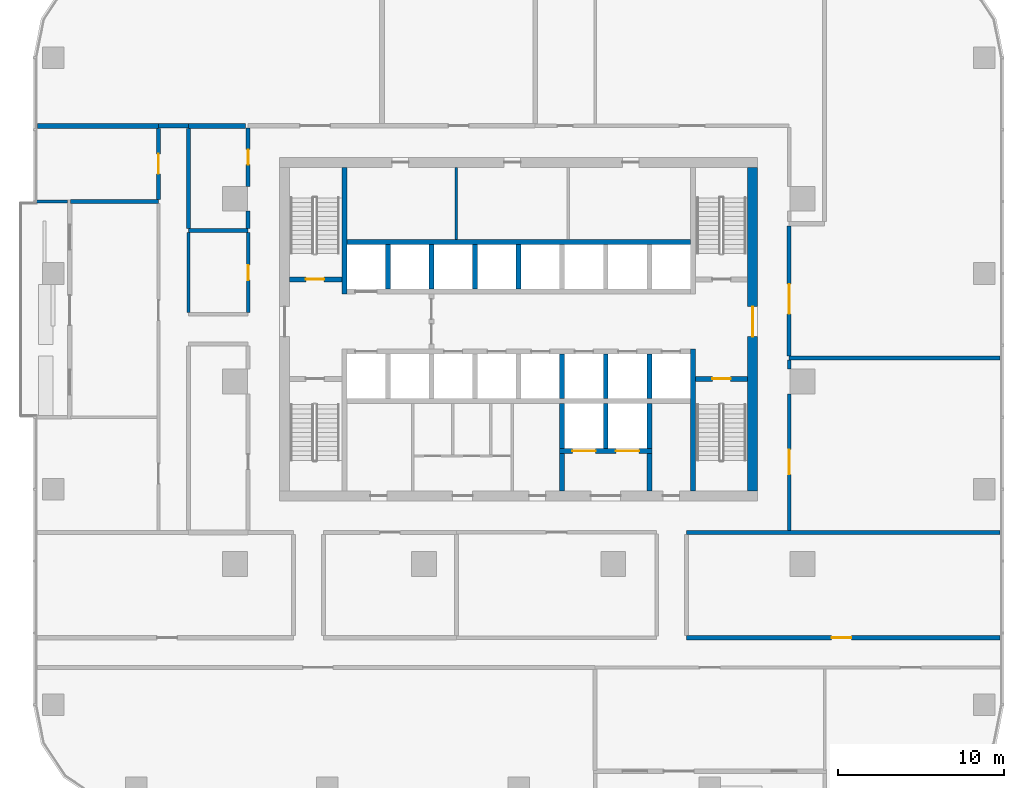
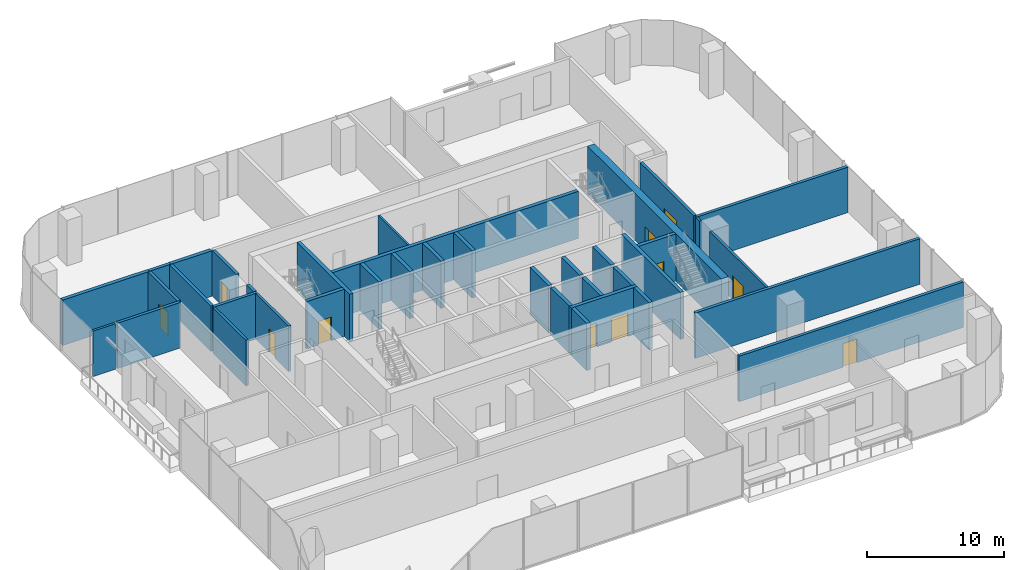
# One storey, part 9 of 15: 38 walls, 11 doors, 11 openings.
"""IFC4 building model written with IfcOpenShell, lengths in metres."""

from ifc_helpers import new_model, si_unit, direction, frame, frame_2d, origin, place, context, subcontext, project, spatial, rectangle, extrude, material, layer, layer_set, type_object, element, fill, save


model = new_model("IFC4")

# Units and contexts
model_context = context("Model", 3, precision=1e-05, world=origin(), true_north=direction((0.0, 1.0)))
body_context = subcontext(model_context, "Body", "Model", "MODEL_VIEW")
ifc_project = project(units=[si_unit("LENGTHUNIT", "METRE"), si_unit("AREAUNIT", "SQUARE_METRE"), si_unit("VOLUMEUNIT", "CUBIC_METRE"), si_unit("PLANEANGLEUNIT", "RADIAN"), si_unit("MASSUNIT", "GRAM", prefix="KILO")], contexts=[model_context])

# Site, building, storey
site_placement = place(None, origin())
site = spatial("IfcSite", under=ifc_project, at=site_placement, CompositionType="ELEMENT")
building_placement = place(site_placement, origin())
building = spatial("IfcBuilding", under=site, at=building_placement, Name="Mopane Tessera Tower", CompositionType="ELEMENT")
storey_placement = place(building_placement, frame((0.0, 0.0, 99.10009765625)))
storey = spatial("IfcBuildingStorey", under=building, at=storey_placement, Name="L19", CompositionType="ELEMENT", Elevation=99.10009765625)

# Wall
ifc_material_1 = material(Name="Fire-rated gypsum board partition")
ifc_layer_1 = layer(ifc_material_1, 0.14990234375)
ifc_layer_set_1 = layer_set([ifc_layer_1], Name="Fire-rated gypsum board partition")
wall_type_1 = type_object("IfcWallType", Name="Core room partition 150 mm", PredefinedType="PARTITIONING", material=ifc_layer_set_1)
wall_1_placement = place(storey_placement, frame((-3.75, 8.550048828125, 0.0), z_axis=(0.0, 0.0, 1.0), x_axis=(0.0, 1.0, 0.0)))
element("IfcWall", 1, at=wall_1_placement, inside=storey, type_object=wall_type_1, Name="L19 Room partition", PredefinedType="PARTITIONING", context=body_context, shape_type="SweptSolid", body=[
    extrude(rectangle(XDim=4.349853515625, YDim=0.14990234375, at=frame_2d((2.1748046875, 0.0))), origin(), (0.0, 0.0, 1.0), 4.199951171875),
])

# Wall, opening, door
ifc_material_2 = material(Name="Concrete C70/85", Category="concrete")
ifc_layer_2 = layer(ifc_material_2, 0.60009765625)
ifc_layer_set_2 = layer_set([ifc_layer_2], Name="Concrete C70/85")
wall_type_2 = type_object("IfcWallType", Name="Core shear wall 600 mm", PredefinedType="SHEAR", material=ifc_layer_set_2)
wall_2_placement = place(storey_placement, frame((14.10009765625, -6.60009765625, 0.0), z_axis=(0.0, 0.0, 1.0), x_axis=(0.0, 1.0, 0.0)))
wall_2 = element("IfcWall", 2, at=wall_2_placement, inside=storey, type_object=wall_type_2, Name="L19 Core wall east", PredefinedType="SHEAR", context=body_context, shape_type="SweptSolid", body=[
    extrude(rectangle(XDim=19.5, YDim=0.60009765625, at=frame_2d((9.75, 0.0))), origin(), (0.0, 0.0, 1.0), 4.199951171875),
])
opening_1_placement = place(wall_2_placement, frame((9.300048828125, 0.0, 0.0)))
opening_1 = element("IfcOpeningElement", 3, at=opening_1_placement, cuts=wall_2, Name="Opening SD2", PredefinedType="OPENING", context=body_context, shape_type="SweptSolid", body=[
    extrude(rectangle(XDim=1.800048828125, YDim=2.10009765625, at=frame_2d((0.89990234375, 1.050048828125))), frame((0.0, 0.31201171875, 0.0), z_axis=(0.0, -1.0, 0.0), x_axis=(1.0, 0.0, 0.0)), (0.0, 0.0, 1.0), 0.6240234375),
])
ifc_material_3 = material(Name="Steel fire door", Category="steel")
door_type_1 = type_object("IfcDoorType", Name="Core entrance double door 1800 x 2100", OperationType="DOUBLE_DOOR_SINGLE_SWING", PredefinedType="DOOR", material=ifc_material_3)
door_1_placement = place(opening_1_placement, origin())
door_1 = element("IfcDoor", 4, at=door_1_placement, inside=storey, type_object=door_type_1, Name="L19 Core entrance door east", OperationType="DOUBLE_DOOR_SINGLE_SWING", OverallHeight=2.10009765625, OverallWidth=1.800048828125, PredefinedType="DOOR", context=body_context, shape_type="SweptSolid", body=[
    extrude(rectangle(XDim=1.800048828125, YDim=2.10009765625, at=frame_2d((0.89990234375, 1.050048828125))), frame((0.0, 0.02490234375, 0.0), z_axis=(0.0, -1.0, 0.0), x_axis=(1.0, 0.0, 0.0)), (0.0, 0.0, 1.0), 0.050048828125),
])
fill(opening_1, door_1)

# Walls
ifc_material_4 = material(Name="Concrete C60/75", Category="concrete")
ifc_layer_3 = layer(ifc_material_4, 0.300048828125)
ifc_layer_set_3 = layer_set([ifc_layer_3], Name="Concrete C60/75")
wall_type_3 = type_object("IfcWallType", Name="Core spine wall 300 mm", PredefinedType="SHEAR", material=ifc_layer_set_3)
wall_3_placement = place(storey_placement, frame((-10.5, 5.25, 0.0), z_axis=(0.0, 0.0, 1.0), x_axis=(0.0, 1.0, 0.0)))
element("IfcWall", 5, at=wall_3_placement, inside=storey, type_object=wall_type_3, Name="L19 Core spine wall", PredefinedType="SHEAR", context=body_context, shape_type="SweptSolid", body=[
    extrude(rectangle(XDim=7.64990234375, YDim=0.300048828125, at=frame_2d((3.824951171875, 0.0))), origin(), (0.0, 0.0, 1.0), 4.199951171875),
])
wall_4_placement = place(storey_placement, frame((10.5, -6.60009765625, 0.0), z_axis=(0.0, 0.0, 1.0), x_axis=(0.0, 1.0, 0.0)))
element("IfcWall", 6, at=wall_4_placement, inside=storey, type_object=wall_type_3, Name="L19 Core spine wall", PredefinedType="SHEAR", context=body_context, shape_type="SweptSolid", body=[
    extrude(rectangle(XDim=8.550048828125, YDim=0.300048828125, at=frame_2d((4.27490234375, 0.0))), origin(), (0.0, 0.0, 1.0), 4.199951171875),
])
ifc_material_5 = material(Name="Gypsum board on steel studs, two layers each face, mineral wool infill", Category="steel")
ifc_layer_4 = layer(ifc_material_5, 0.199951171875)
ifc_layer_set_4 = layer_set([ifc_layer_4], Name="Gypsum board on steel studs, two layers each face, mineral wool infill")
wall_type_4 = type_object("IfcWallType", Name="Gypsum board corridor wall 200, rated EI 60", PredefinedType="PARTITIONING", material=ifc_layer_set_4)
wall_5_placement = place(storey_placement, frame((-19.89990234375, 4.14990234375, 0.0), z_axis=(0.0, 0.0, 1.0), x_axis=(0.0, 1.0, 0.0)))
element("IfcWall", 7, at=wall_5_placement, inside=storey, type_object=wall_type_4, Name="Partition L19:026", PredefinedType="PARTITIONING", context=body_context, shape_type="SweptSolid", body=[
    extrude(rectangle(XDim=4.81005859375, YDim=0.199951171875, at=frame_2d((2.405029296875, 0.0))), origin(), (0.0, 0.0, 1.0), 4.0498046875),
])

# Wall, opening, door
wall_6_placement = place(storey_placement, frame((-16.300048828125, 4.14990234375, 0.0), z_axis=(0.0, 0.0, 1.0), x_axis=(0.0, 1.0, 0.0)))
wall_6 = element("IfcWall", 8, at=wall_6_placement, inside=storey, type_object=wall_type_4, Name="Partition L19:029", PredefinedType="PARTITIONING", context=body_context, shape_type="SweptSolid", body=[
    extrude(rectangle(XDim=4.81005859375, YDim=0.199951171875, at=frame_2d((2.405029296875, 0.0))), origin(), (0.0, 0.0, 1.0), 4.0498046875),
])
opening_2_placement = place(wall_6_placement, frame((1.955078125, 0.0, 0.0)))
opening_2 = element("IfcOpeningElement", 9, at=opening_2_placement, cuts=wall_6, Name="Opening L19-08", PredefinedType="OPENING", context=body_context, shape_type="SweptSolid", body=[
    extrude(rectangle(XDim=0.89990234375, YDim=2.10009765625, at=frame_2d((0.449951171875, 1.050048828125))), frame((0.0, 0.112060546875, 0.0), z_axis=(0.0, -1.0, 0.0), x_axis=(1.0, 0.0, 0.0)), (0.0, 0.0, 1.0), 0.223876953125),
])
ifc_material_6 = material(Name="Timber veneered steel-framed fire door", Category="steel")
door_type_2 = type_object("IfcDoorType", Name="Fire door FD60 900 x 2100", OperationType="SINGLE_SWING_LEFT", PredefinedType="DOOR", material=ifc_material_6)
door_2_placement = place(opening_2_placement, origin())
door_2 = element("IfcDoor", 10, at=door_2_placement, inside=storey, type_object=door_type_2, Name="Door L19-08", ObjectType="D10A", OperationType="SINGLE_SWING_LEFT", OverallHeight=2.10009765625, OverallWidth=0.89990234375, PredefinedType="DOOR", context=body_context, shape_type="SweptSolid", body=[
    extrude(rectangle(XDim=0.89990234375, YDim=2.10009765625, at=frame_2d((0.449951171875, 1.050048828125))), frame((0.0, 0.02490234375, 0.0), z_axis=(0.0, -1.0, 0.0), x_axis=(1.0, 0.0, 0.0)), (0.0, 0.0, 1.0), 0.050048828125),
])
fill(opening_2, door_2)

wall_7_placement = place(storey_placement, frame((16.300048828125, -8.97509765625, 0.0), z_axis=(0.0, 0.0, 1.0), x_axis=(0.0, 1.0, 0.0)))
wall_7 = element("IfcWall", 11, at=wall_7_placement, inside=storey, type_object=wall_type_4, Name="Partition L19:043", PredefinedType="PARTITIONING", context=body_context, shape_type="SweptSolid", body=[
    extrude(rectangle(XDim=8.22509765625, YDim=0.199951171875, at=frame_2d((4.112548828125, 0.0))), origin(), (0.0, 0.0, 1.0), 4.0498046875),
])
opening_3_placement = place(wall_7_placement, frame((3.362548828125, 0.0, 0.0)))
opening_3 = element("IfcOpeningElement", 12, at=opening_3_placement, cuts=wall_7, Name="Opening L19-18", PredefinedType="OPENING", context=body_context, shape_type="SweptSolid", body=[
    extrude(rectangle(XDim=1.5, YDim=2.10009765625, at=frame_2d((0.75, 1.050048828125))), frame((0.0, 0.112060546875, 0.0), z_axis=(0.0, -1.0, 0.0), x_axis=(1.0, 0.0, 0.0)), (0.0, 0.0, 1.0), 0.223876953125),
])
ifc_material_7 = material(Name="Timber veneered steel-framed fire door", Category="steel")
door_type_3 = type_object("IfcDoorType", Name="Fire door pair FD60 1500 x 2100", OperationType="DOUBLE_DOOR_SINGLE_SWING", PredefinedType="DOOR", material=ifc_material_7)
door_3_placement = place(opening_3_placement, origin())
door_3 = element("IfcDoor", 13, at=door_3_placement, inside=storey, type_object=door_type_3, Name="Door L19-18", ObjectType="D17A", OperationType="DOUBLE_DOOR_SINGLE_SWING", OverallHeight=2.10009765625, OverallWidth=1.5, PredefinedType="DOOR", context=body_context, shape_type="SweptSolid", body=[
    extrude(rectangle(XDim=1.5, YDim=2.10009765625, at=frame_2d((0.75, 1.050048828125))), frame((0.0, 0.02490234375, 0.0), z_axis=(0.0, -1.0, 0.0), x_axis=(1.0, 0.0, 0.0)), (0.0, 0.0, 1.0), 0.050048828125),
])
fill(opening_3, door_3)

# Wall
wall_8_placement = place(storey_placement, frame((16.300048828125, 0.75, 0.0), z_axis=(0.0, 0.0, 1.0), x_axis=(0.0, 1.0, 0.0)))
element("IfcWall", 14, at=wall_8_placement, inside=storey, type_object=wall_type_4, Name="Partition L19:044", PredefinedType="PARTITIONING", context=body_context, shape_type="SweptSolid", body=[
    extrude(rectangle(XDim=0.52490234375, YDim=0.199951171875, at=frame_2d((0.262451171875, 0.0))), origin(), (0.0, 0.0, 1.0), 4.0498046875),
])

# Wall, opening, door
ifc_material_8 = material(Name="Concrete C50/60", Category="concrete")
ifc_layer_5 = layer(ifc_material_8, 0.300048828125)
ifc_layer_set_5 = layer_set([ifc_layer_5], Name="Concrete C50/60")
wall_type_5 = type_object("IfcWallType", Name="Lift and stair shaft wall 300 mm", PredefinedType="SOLIDWALL", material=ifc_layer_set_5)
wall_9_placement = place(storey_placement, frame((-13.800048828125, 6.14990234375, 0.0), z_axis=(0.0, 0.0, 1.0), x_axis=(1.0, 0.0, 0.0)))
wall_9 = element("IfcWall", 15, at=wall_9_placement, inside=storey, type_object=wall_type_5, Name="L19 Stair enclosure wall", PredefinedType="SOLIDWALL", context=body_context, shape_type="SweptSolid", body=[
    extrude(rectangle(XDim=3.150146484375, YDim=0.300048828125, at=frame_2d((1.5751953125, 0.0))), origin(), (0.0, 0.0, 1.0), 4.199951171875),
])
opening_4_placement = place(wall_9_placement, frame((0.97509765625, 0.0, 0.0)))
opening_4 = element("IfcOpeningElement", 16, at=opening_4_placement, cuts=wall_9, Name="Opening SD1", PredefinedType="OPENING", context=body_context, shape_type="SweptSolid", body=[
    extrude(rectangle(XDim=1.10009765625, YDim=2.10009765625, at=frame_2d((0.550048828125, 1.050048828125))), frame((0.0, 0.162109375, 0.0), z_axis=(0.0, -1.0, 0.0), x_axis=(1.0, 0.0, 0.0)), (0.0, 0.0, 1.0), 0.323974609375),
])
ifc_material_9 = material(Name="Steel fire door", Category="steel")
door_type_4 = type_object("IfcDoorType", Name="Stair fire door 1100 x 2100", OperationType="SINGLE_SWING_LEFT", PredefinedType="DOOR", material=ifc_material_9)
door_4_placement = place(opening_4_placement, origin())
door_4 = element("IfcDoor", 17, at=door_4_placement, inside=storey, type_object=door_type_4, Name="L19 Stair door ST2", OperationType="SINGLE_SWING_LEFT", OverallHeight=2.10009765625, OverallWidth=1.10009765625, PredefinedType="DOOR", context=body_context, shape_type="SweptSolid", body=[
    extrude(rectangle(XDim=1.10009765625, YDim=2.10009765625, at=frame_2d((0.550048828125, 1.050048828125))), frame((0.0, 0.02490234375, 0.0), z_axis=(0.0, -1.0, 0.0), x_axis=(1.0, 0.0, 0.0)), (0.0, 0.0, 1.0), 0.050048828125),
])
fill(opening_4, door_4)

wall_10_placement = place(storey_placement, frame((10.64990234375, 0.14990234375, 0.0), z_axis=(0.0, 0.0, 1.0), x_axis=(1.0, 0.0, 0.0)))
wall_10 = element("IfcWall", 18, at=wall_10_placement, inside=storey, type_object=wall_type_5, Name="L19 Stair enclosure wall", PredefinedType="SOLIDWALL", context=body_context, shape_type="SweptSolid", body=[
    extrude(rectangle(XDim=3.150146484375, YDim=0.300048828125, at=frame_2d((1.5751953125, 0.0))), origin(), (0.0, 0.0, 1.0), 4.199951171875),
])
opening_5_placement = place(wall_10_placement, frame((1.02490234375, 0.0, 0.0)))
opening_5 = element("IfcOpeningElement", 19, at=opening_5_placement, cuts=wall_10, Name="Opening SD1", PredefinedType="OPENING", context=body_context, shape_type="SweptSolid", body=[
    extrude(rectangle(XDim=1.10009765625, YDim=2.10009765625, at=frame_2d((0.550048828125, 1.050048828125))), frame((0.0, 0.162109375, 0.0), z_axis=(0.0, -1.0, 0.0), x_axis=(1.0, 0.0, 0.0)), (0.0, 0.0, 1.0), 0.323974609375),
])
door_5_placement = place(opening_5_placement, origin())
door_5 = element("IfcDoor", 20, at=door_5_placement, inside=storey, type_object=door_type_4, Name="L19 Stair door ST3", OperationType="SINGLE_SWING_RIGHT", OverallHeight=2.10009765625, OverallWidth=1.10009765625, PredefinedType="DOOR", context=body_context, shape_type="SweptSolid", body=[
    extrude(rectangle(XDim=1.10009765625, YDim=2.10009765625, at=frame_2d((0.550048828125, 1.050048828125))), frame((0.0, 0.02490234375, 0.0), z_axis=(0.0, -1.0, 0.0), x_axis=(1.0, 0.0, 0.0)), (0.0, 0.0, 1.0), 0.050048828125),
])
fill(opening_5, door_5)

# Walls
wall_11_placement = place(storey_placement, frame((-10.35009765625, 8.39990234375, 0.0), z_axis=(0.0, 0.0, 1.0), x_axis=(1.0, 0.0, 0.0)))
element("IfcWall", 21, at=wall_11_placement, inside=storey, type_object=wall_type_5, Name="L19 Lift shaft rear wall", PredefinedType="SOLIDWALL", context=body_context, shape_type="SweptSolid", body=[
    extrude(rectangle(XDim=20.7001953125, YDim=0.300048828125, at=frame_2d((10.35009765625, 0.0))), origin(), (0.0, 0.0, 1.0), 4.199951171875),
])
for number, where, z_axis, x_axis, name in (
    (22, (2.625, -1.050048828125, 0.0), (0.0, 0.0, 1.0), (0.0, 1.0, 0.0), "L19 Lift shaft wall"),
    (23, (5.25, -1.050048828125, 0.0), (0.0, 0.0, 1.0), (0.0, 1.0, 0.0), "L19 Lift shaft wall"),
    (24, (7.875, -1.050048828125, 0.0), (0.0, 0.0, 1.0), (0.0, 1.0, 0.0), "L19 Lift shaft wall"),
    (25, (-7.875, 5.550048828125, 0.0), (0.0, 0.0, 1.0), (0.0, 1.0, 0.0), "L19 Lift shaft wall"),
    (26, (-5.25, 5.550048828125, 0.0), (0.0, 0.0, 1.0), (0.0, 1.0, 0.0), "L19 Lift shaft wall"),
    (27, (-2.625, 5.550048828125, 0.0), (0.0, 0.0, 1.0), (0.0, 1.0, 0.0), "L19 Lift shaft wall"),
    (28, (0.0, 5.550048828125, 0.0), (0.0, 0.0, 1.0), (0.0, 1.0, 0.0), "L19 Lift shaft wall"),
):
    element("IfcWall", number, at=place(storey_placement, frame(where, z_axis=z_axis, x_axis=x_axis)), inside=storey, type_object=wall_type_5, Name=name, PredefinedType="SOLIDWALL", context=body_context, shape_type="SweptSolid", body=[
        extrude(rectangle(XDim=2.699951171875, YDim=0.300048828125, at=frame_2d((1.35009765625, 0.0))), origin(), (0.0, 0.0, 1.0), 4.199951171875),
    ])

# Wall, openings, doors
wall_12_placement = place(storey_placement, frame((2.47509765625, -4.199951171875, 0.0), z_axis=(0.0, 0.0, 1.0), x_axis=(1.0, 0.0, 0.0)))
wall_12 = element("IfcWall", 29, at=wall_12_placement, inside=storey, type_object=wall_type_5, Name="L19 Lift shaft front wall", PredefinedType="SOLIDWALL", context=body_context, shape_type="SweptSolid", body=[
    extrude(rectangle(XDim=5.5498046875, YDim=0.300048828125, at=frame_2d((2.77490234375, 0.0))), origin(), (0.0, 0.0, 1.0), 4.199951171875),
])
opening_6_placement = place(wall_12_placement, frame((0.762451171875, 0.0, 0.0)))
opening_6 = element("IfcOpeningElement", 30, at=opening_6_placement, cuts=wall_12, Name="Opening LD3", PredefinedType="OPENING", context=body_context, shape_type="SweptSolid", body=[
    extrude(rectangle(XDim=1.39990234375, YDim=2.10009765625, at=frame_2d((0.699951171875, 1.050048828125))), frame((0.0, 0.162109375, 0.0), z_axis=(0.0, -1.0, 0.0), x_axis=(1.0, 0.0, 0.0)), (0.0, 0.0, 1.0), 0.323974609375),
])
opening_7_placement = place(wall_12_placement, frame((3.387451171875, 0.0, 0.0)))
opening_7 = element("IfcOpeningElement", 31, at=opening_7_placement, cuts=wall_12, Name="Opening LD3", PredefinedType="OPENING", context=body_context, shape_type="SweptSolid", body=[
    extrude(rectangle(XDim=1.39990234375, YDim=2.10009765625, at=frame_2d((0.699951171875, 1.050048828125))), frame((0.0, 0.162109375, 0.0), z_axis=(0.0, -1.0, 0.0), x_axis=(1.0, 0.0, 0.0)), (0.0, 0.0, 1.0), 0.323974609375),
])
ifc_material_10 = material(Name="Stainless steel sliding door", Category="steel")
door_type_5 = type_object("IfcDoorType", Name="Service lift landing door 1400 x 2100", OperationType="DOUBLE_DOOR_SLIDING", PredefinedType="DOOR", material=ifc_material_10)
door_6_placement = place(opening_6_placement, origin())
door_6 = element("IfcDoor", 32, at=door_6_placement, inside=storey, type_object=door_type_5, Name="L19 Lift landing door SV1", OperationType="DOUBLE_DOOR_SLIDING", OverallHeight=2.10009765625, OverallWidth=1.39990234375, PredefinedType="DOOR", context=body_context, shape_type="SweptSolid", body=[
    extrude(rectangle(XDim=1.39990234375, YDim=2.10009765625, at=frame_2d((0.699951171875, 1.050048828125))), frame((0.0, 0.02490234375, 0.0), z_axis=(0.0, -1.0, 0.0), x_axis=(1.0, 0.0, 0.0)), (0.0, 0.0, 1.0), 0.050048828125),
])
fill(opening_6, door_6)
door_7_placement = place(opening_7_placement, origin())
door_7 = element("IfcDoor", 33, at=door_7_placement, inside=storey, type_object=door_type_5, Name="L19 Lift landing door SV2", OperationType="DOUBLE_DOOR_SLIDING", OverallHeight=2.10009765625, OverallWidth=1.39990234375, PredefinedType="DOOR", context=body_context, shape_type="SweptSolid", body=[
    extrude(rectangle(XDim=1.39990234375, YDim=2.10009765625, at=frame_2d((0.699951171875, 1.050048828125))), frame((0.0, 0.02490234375, 0.0), z_axis=(0.0, -1.0, 0.0), x_axis=(1.0, 0.0, 0.0)), (0.0, 0.0, 1.0), 0.050048828125),
])
fill(opening_7, door_7)

# Walls
for number, where, z_axis, x_axis, name in (
    (34, (2.625, -4.050048828125, 0.0), (0.0, 0.0, 1.0), (0.0, 1.0, 0.0), "L19 Lift shaft wall"),
    (35, (5.25, -4.050048828125, 0.0), (0.0, 0.0, 1.0), (0.0, 1.0, 0.0), "L19 Lift shaft wall"),
    (36, (7.875, -4.050048828125, 0.0), (0.0, 0.0, 1.0), (0.0, 1.0, 0.0), "L19 Lift shaft wall"),
):
    element("IfcWall", number, at=place(storey_placement, frame(where, z_axis=z_axis, x_axis=x_axis)), inside=storey, type_object=wall_type_5, Name=name, PredefinedType="SOLIDWALL", context=body_context, shape_type="SweptSolid", body=[
        extrude(rectangle(XDim=2.699951171875, YDim=0.300048828125, at=frame_2d((1.35009765625, 0.0))), origin(), (0.0, 0.0, 1.0), 4.199951171875),
    ])
ifc_material_11 = material(Name="Concrete C50/60", Category="concrete")
ifc_layer_6 = layer(ifc_material_11, 0.300048828125)
ifc_layer_set_6 = layer_set([ifc_layer_6], Name="Concrete C50/60")
wall_type_6 = type_object("IfcWallType", Name="Lobby and refuge room wall 300 mm", PredefinedType="SOLIDWALL", material=ifc_layer_set_6)
for number, where, z_axis, x_axis, name in (
    (37, (2.625, -6.60009765625, 0.0), (0.0, 0.0, 1.0), (0.0, 1.0, 0.0), "L19 Service lobby wall"),
    (38, (7.875, -6.60009765625, 0.0), (0.0, 0.0, 1.0), (0.0, 1.0, 0.0), "L19 Service lobby wall"),
):
    element("IfcWall", number, at=place(storey_placement, frame(where, z_axis=z_axis, x_axis=x_axis)), inside=storey, type_object=wall_type_6, Name=name, PredefinedType="SOLIDWALL", context=body_context, shape_type="SweptSolid", body=[
        extrude(rectangle(XDim=2.25, YDim=0.300048828125, at=frame_2d((1.125, 0.0))), origin(), (0.0, 0.0, 1.0), 4.199951171875),
    ])
ifc_material_12 = material(Name="Plastered concrete blockwork C20/25", Category="masonry")
ifc_layer_7 = layer(ifc_material_12, 0.300048828125)
ifc_layer_set_7 = layer_set([ifc_layer_7], Name="Plastered concrete blockwork C20/25")
wall_type_7 = type_object("IfcWallType", Name="Plastered blockwork separation wall 300, rated EI 120", PredefinedType="PARTITIONING", material=ifc_layer_set_7)
wall_13_placement = place(storey_placement, frame((-29.0, 15.39990234375, 0.0), z_axis=(0.0, 0.0, 1.0), x_axis=(1.0, 0.0, 0.0)))
element("IfcWall", 39, at=wall_13_placement, inside=storey, type_object=wall_type_7, Name="Partition L19:022", PredefinedType="PARTITIONING", context=body_context, shape_type="SweptSolid", body=[
    extrude(rectangle(XDim=7.300048828125, YDim=0.300048828125, at=frame_2d((3.64990234375, 0.0))), origin(), (0.0, 0.0, 1.0), 4.0498046875),
])
wall_14_placement = place(storey_placement, frame((-19.89990234375, 15.39990234375, 0.0), z_axis=(0.0, 0.0, 1.0), x_axis=(1.0, 0.0, 0.0)))
element("IfcWall", 40, at=wall_14_placement, inside=storey, type_object=wall_type_7, Name="Partition L19:023", PredefinedType="PARTITIONING", context=body_context, shape_type="SweptSolid", body=[
    extrude(rectangle(XDim=3.44482421875, YDim=0.300048828125, at=frame_2d((1.722412109375, 0.0))), origin(), (0.0, 0.0, 1.0), 4.0498046875),
])

# Wall, opening, door
ifc_material_13 = material(Name="Plastered concrete blockwork C20/25", Category="masonry")
ifc_layer_8 = layer(ifc_material_13, 0.25)
ifc_layer_set_8 = layer_set([ifc_layer_8], Name="Plastered concrete blockwork C20/25")
wall_type_8 = type_object("IfcWallType", Name="Plastered blockwork wall 250, rated EI 120", PredefinedType="PARTITIONING", material=ifc_layer_set_8)
wall_15_placement = place(storey_placement, frame((10.114990234375, -15.449951171875, 0.0), z_axis=(0.0, 0.0, 1.0), x_axis=(1.0, 0.0, 0.0)))
wall_15 = element("IfcWall", 41, at=wall_15_placement, inside=storey, type_object=wall_type_8, Name="Partition L19:005", PredefinedType="PARTITIONING", context=body_context, shape_type="SweptSolid", body=[
    extrude(rectangle(XDim=18.885009765625, YDim=0.25, at=frame_2d((9.4423828125, 0.0))), origin(), (0.0, 0.0, 1.0), 4.0498046875),
])
opening_8_placement = place(wall_15_placement, frame((8.742431640625, 0.0, 0.0)))
opening_8 = element("IfcOpeningElement", 42, at=opening_8_placement, cuts=wall_15, Name="Opening L19-02", PredefinedType="OPENING", context=body_context, shape_type="SweptSolid", body=[
    extrude(rectangle(XDim=1.199951171875, YDim=2.10009765625, at=frame_2d((0.60009765625, 1.050048828125))), frame((0.0, 0.136962890625, 0.0), z_axis=(0.0, -1.0, 0.0), x_axis=(1.0, 0.0, 0.0)), (0.0, 0.0, 1.0), 0.27392578125),
])
ifc_material_14 = material(Name="Timber veneered steel-framed fire door", Category="steel")
door_type_6 = type_object("IfcDoorType", Name="Fire door FD120 1200 x 2100", OperationType="SINGLE_SWING_LEFT", PredefinedType="DOOR", material=ifc_material_14)
door_8_placement = place(opening_8_placement, origin())
door_8 = element("IfcDoor", 43, at=door_8_placement, inside=storey, type_object=door_type_6, Name="Door L19-02", ObjectType="D15B", OperationType="SINGLE_SWING_RIGHT", OverallHeight=2.10009765625, OverallWidth=1.199951171875, PredefinedType="DOOR", context=body_context, shape_type="SweptSolid", body=[
    extrude(rectangle(XDim=1.199951171875, YDim=2.10009765625, at=frame_2d((0.60009765625, 1.050048828125))), frame((0.0, 0.02490234375, 0.0), z_axis=(0.0, -1.0, 0.0), x_axis=(1.0, 0.0, 0.0)), (0.0, 0.0, 1.0), 0.050048828125),
])
fill(opening_8, door_8)

# Walls
wall_16_placement = place(storey_placement, frame((10.114990234375, -9.10009765625, 0.0), z_axis=(0.0, 0.0, 1.0), x_axis=(1.0, 0.0, 0.0)))
element("IfcWall", 44, at=wall_16_placement, inside=storey, type_object=wall_type_8, Name="Partition L19:010", PredefinedType="PARTITIONING", context=body_context, shape_type="SweptSolid", body=[
    extrude(rectangle(XDim=18.885009765625, YDim=0.25, at=frame_2d((9.4423828125, 0.0))), origin(), (0.0, 0.0, 1.0), 4.0498046875),
])
wall_17_placement = place(storey_placement, frame((16.300048828125, 1.39990234375, 0.0), z_axis=(0.0, 0.0, 1.0), x_axis=(1.0, 0.0, 0.0)))
element("IfcWall", 45, at=wall_17_placement, inside=storey, type_object=wall_type_8, Name="Partition L19:013", PredefinedType="PARTITIONING", context=body_context, shape_type="SweptSolid", body=[
    extrude(rectangle(XDim=12.699951171875, YDim=0.25, at=frame_2d((6.35009765625, 0.0))), origin(), (0.0, 0.0, 1.0), 4.0498046875),
])
wall_18_placement = place(storey_placement, frame((-19.89990234375, 9.0849609375, 0.0), z_axis=(0.0, 0.0, 1.0), x_axis=(1.0, 0.0, 0.0)))
element("IfcWall", 46, at=wall_18_placement, inside=storey, type_object=wall_type_8, Name="Partition L19:016", PredefinedType="PARTITIONING", context=body_context, shape_type="SweptSolid", body=[
    extrude(rectangle(XDim=3.599853515625, YDim=0.25, at=frame_2d((1.7998046875, 0.0))), origin(), (0.0, 0.0, 1.0), 4.0498046875),
])
wall_19_placement = place(storey_placement, frame((-27.0, 10.8349609375, 0.0), z_axis=(0.0, 0.0, 1.0), x_axis=(1.0, 0.0, 0.0)))
element("IfcWall", 47, at=wall_19_placement, inside=storey, type_object=wall_type_8, Name="Partition L19:018", PredefinedType="PARTITIONING", context=body_context, shape_type="SweptSolid", body=[
    extrude(rectangle(XDim=5.300048828125, YDim=0.25, at=frame_2d((2.64990234375, 0.0))), origin(), (0.0, 0.0, 1.0), 4.0498046875),
])
wall_20_placement = place(storey_placement, frame((-21.699951171875, 15.39990234375, 0.0), z_axis=(0.0, 0.0, 1.0), x_axis=(1.0, 0.0, 0.0)))
element("IfcWall", 48, at=wall_20_placement, inside=storey, type_object=wall_type_8, Name="Partition L19:020", PredefinedType="PARTITIONING", context=body_context, shape_type="SweptSolid", body=[
    extrude(rectangle(XDim=1.800048828125, YDim=0.25, at=frame_2d((0.89990234375, 0.0))), origin(), (0.0, 0.0, 1.0), 4.0498046875),
])

# Wall, opening, door
wall_21_placement = place(storey_placement, frame((-21.699951171875, 10.9599609375, 0.0), z_axis=(0.0, 0.0, 1.0), x_axis=(0.0, 1.0, 0.0)))
wall_21 = element("IfcWall", 49, at=wall_21_placement, inside=storey, type_object=wall_type_8, Name="Partition L19:025", PredefinedType="PARTITIONING", context=body_context, shape_type="SweptSolid", body=[
    extrude(rectangle(XDim=4.2900390625, YDim=0.25, at=frame_2d((2.14501953125, 0.0))), origin(), (0.0, 0.0, 1.0), 4.0498046875),
])
opening_9_placement = place(wall_21_placement, frame((1.544921875, 0.0, 0.0)))
opening_9 = element("IfcOpeningElement", 50, at=opening_9_placement, cuts=wall_21, Name="Opening L19-13", PredefinedType="OPENING", context=body_context, shape_type="SweptSolid", body=[
    extrude(rectangle(XDim=1.199951171875, YDim=2.10009765625, at=frame_2d((0.60009765625, 1.050048828125))), frame((0.0, 0.136962890625, 0.0), z_axis=(0.0, -1.0, 0.0), x_axis=(1.0, 0.0, 0.0)), (0.0, 0.0, 1.0), 0.27392578125),
])
door_9_placement = place(opening_9_placement, origin())
door_9 = element("IfcDoor", 51, at=door_9_placement, inside=storey, type_object=door_type_6, Name="Door L19-13", ObjectType="D15B", OperationType="SINGLE_SWING_LEFT", OverallHeight=2.10009765625, OverallWidth=1.199951171875, PredefinedType="DOOR", context=body_context, shape_type="SweptSolid", body=[
    extrude(rectangle(XDim=1.199951171875, YDim=2.10009765625, at=frame_2d((0.60009765625, 1.050048828125))), frame((0.0, 0.02490234375, 0.0), z_axis=(0.0, -1.0, 0.0), x_axis=(1.0, 0.0, 0.0)), (0.0, 0.0, 1.0), 0.050048828125),
])
fill(opening_9, door_9)

# Walls
wall_22_placement = place(storey_placement, frame((-19.89990234375, 9.2099609375, 0.0), z_axis=(0.0, 0.0, 1.0), x_axis=(0.0, 1.0, 0.0)))
element("IfcWall", 52, at=wall_22_placement, inside=storey, type_object=wall_type_8, Name="Partition L19:028", PredefinedType="PARTITIONING", context=body_context, shape_type="SweptSolid", body=[
    extrude(rectangle(XDim=6.0400390625, YDim=0.25, at=frame_2d((3.02001953125, 0.0))), origin(), (0.0, 0.0, 1.0), 4.0498046875),
])
wall_23_placement = place(storey_placement, frame((-16.300048828125, 9.2099609375, 0.0), z_axis=(0.0, 0.0, 1.0), x_axis=(0.0, 1.0, 0.0)))
element("IfcWall", 53, at=wall_23_placement, inside=storey, type_object=wall_type_8, Name="Partition L19:032", PredefinedType="PARTITIONING", context=body_context, shape_type="SweptSolid", body=[
    extrude(rectangle(XDim=1.0400390625, YDim=0.25, at=frame_2d((0.52001953125, 0.0))), origin(), (0.0, 0.0, 1.0), 4.0498046875),
])

# Wall, opening, door
wall_24_placement = place(storey_placement, frame((-16.300048828125, 11.75, 0.0), z_axis=(0.0, 0.0, 1.0), x_axis=(0.0, 1.0, 0.0)))
wall_24 = element("IfcWall", 54, at=wall_24_placement, inside=storey, type_object=wall_type_8, Name="Partition L19:033", PredefinedType="PARTITIONING", context=body_context, shape_type="SweptSolid", body=[
    extrude(rectangle(XDim=3.52490234375, YDim=0.25, at=frame_2d((1.762451171875, 0.0))), origin(), (0.0, 0.0, 1.0), 4.0498046875),
])
opening_10_placement = place(wall_24_placement, frame((1.3125, 0.0, 0.0)))
opening_10 = element("IfcOpeningElement", 55, at=opening_10_placement, cuts=wall_24, Name="Opening L19-01", PredefinedType="OPENING", context=body_context, shape_type="SweptSolid", body=[
    extrude(rectangle(XDim=0.89990234375, YDim=2.10009765625, at=frame_2d((0.449951171875, 1.050048828125))), frame((0.0, 0.136962890625, 0.0), z_axis=(0.0, -1.0, 0.0), x_axis=(1.0, 0.0, 0.0)), (0.0, 0.0, 1.0), 0.27392578125),
])
ifc_material_15 = material(Name="Timber veneered steel-framed fire door", Category="steel")
door_type_7 = type_object("IfcDoorType", Name="Fire door FD120 900 x 2100", OperationType="SINGLE_SWING_LEFT", PredefinedType="DOOR", material=ifc_material_15)
door_10_placement = place(opening_10_placement, origin())
door_10 = element("IfcDoor", 56, at=door_10_placement, inside=storey, type_object=door_type_7, Name="Door L19-01", ObjectType="D10B", OperationType="SINGLE_SWING_LEFT", OverallHeight=2.10009765625, OverallWidth=0.89990234375, PredefinedType="DOOR", context=body_context, shape_type="SweptSolid", body=[
    extrude(rectangle(XDim=0.89990234375, YDim=2.10009765625, at=frame_2d((0.449951171875, 1.050048828125))), frame((0.0, 0.02490234375, 0.0), z_axis=(0.0, -1.0, 0.0), x_axis=(1.0, 0.0, 0.0)), (0.0, 0.0, 1.0), 0.050048828125),
])
fill(opening_10, door_10)

wall_25_placement = place(storey_placement, frame((16.300048828125, 1.52490234375, 0.0), z_axis=(0.0, 0.0, 1.0), x_axis=(0.0, 1.0, 0.0)))
wall_25 = element("IfcWall", 57, at=wall_25_placement, inside=storey, type_object=wall_type_8, Name="Partition L19:047", PredefinedType="PARTITIONING", context=body_context, shape_type="SweptSolid", body=[
    extrude(rectangle(XDim=7.85009765625, YDim=0.25, at=frame_2d((3.925048828125, 0.0))), origin(), (0.0, 0.0, 1.0), 4.0498046875),
])
opening_11_placement = place(wall_25_placement, frame((2.53759765625, 0.0, 0.0)))
opening_11 = element("IfcOpeningElement", 58, at=opening_11_placement, cuts=wall_25, Name="Opening L19-03", PredefinedType="OPENING", context=body_context, shape_type="SweptSolid", body=[
    extrude(rectangle(XDim=1.800048828125, YDim=2.10009765625, at=frame_2d((0.89990234375, 1.050048828125))), frame((0.0, 0.136962890625, 0.0), z_axis=(0.0, -1.0, 0.0), x_axis=(1.0, 0.0, 0.0)), (0.0, 0.0, 1.0), 0.27392578125),
])
ifc_material_16 = material(Name="Timber veneered steel-framed fire door", Category="steel")
door_type_8 = type_object("IfcDoorType", Name="Fire door pair FD120 1800 x 2100", OperationType="DOUBLE_DOOR_SINGLE_SWING", PredefinedType="DOOR", material=ifc_material_16)
door_11_placement = place(opening_11_placement, origin())
door_11 = element("IfcDoor", 59, at=door_11_placement, inside=storey, type_object=door_type_8, Name="Door L19-03", ObjectType="D20B", OperationType="DOUBLE_DOOR_SINGLE_SWING", OverallHeight=2.10009765625, OverallWidth=1.800048828125, PredefinedType="DOOR", context=body_context, shape_type="SweptSolid", body=[
    extrude(rectangle(XDim=1.800048828125, YDim=2.10009765625, at=frame_2d((0.89990234375, 1.050048828125))), frame((0.0, 0.02490234375, 0.0), z_axis=(0.0, -1.0, 0.0), x_axis=(1.0, 0.0, 0.0)), (0.0, 0.0, 1.0), 0.050048828125),
])
fill(opening_11, door_11)

# Wall
ifc_material_17 = material(Name="Blockwork with glazed tile facing", Category="masonry")
ifc_layer_9 = layer(ifc_material_17, 0.199951171875)
ifc_layer_set_9 = layer_set([ifc_layer_9], Name="Blockwork with glazed tile facing")
wall_type_9 = type_object("IfcWallType", Name="Terrace cheek wall 200", PredefinedType="STANDARD", material=ifc_layer_set_9)
wall_26_placement = place(storey_placement, frame((-29.050048828125, 10.833251953125, 0.0), z_axis=(0.0, 0.0, 1.0), x_axis=(1.0, 0.0, 0.0)))
element("IfcWall", 60, at=wall_26_placement, inside=storey, type_object=wall_type_9, Name="e:nw:L19:N2:cheeka", PredefinedType="STANDARD", context=body_context, shape_type="SweptSolid", body=[
    extrude(rectangle(XDim=1.875, YDim=0.199951171875, at=frame_2d((0.9375, 0.0))), origin(), (0.0, 0.0, 1.0), 4.0498046875),
])

save(model, "model.ifc")
